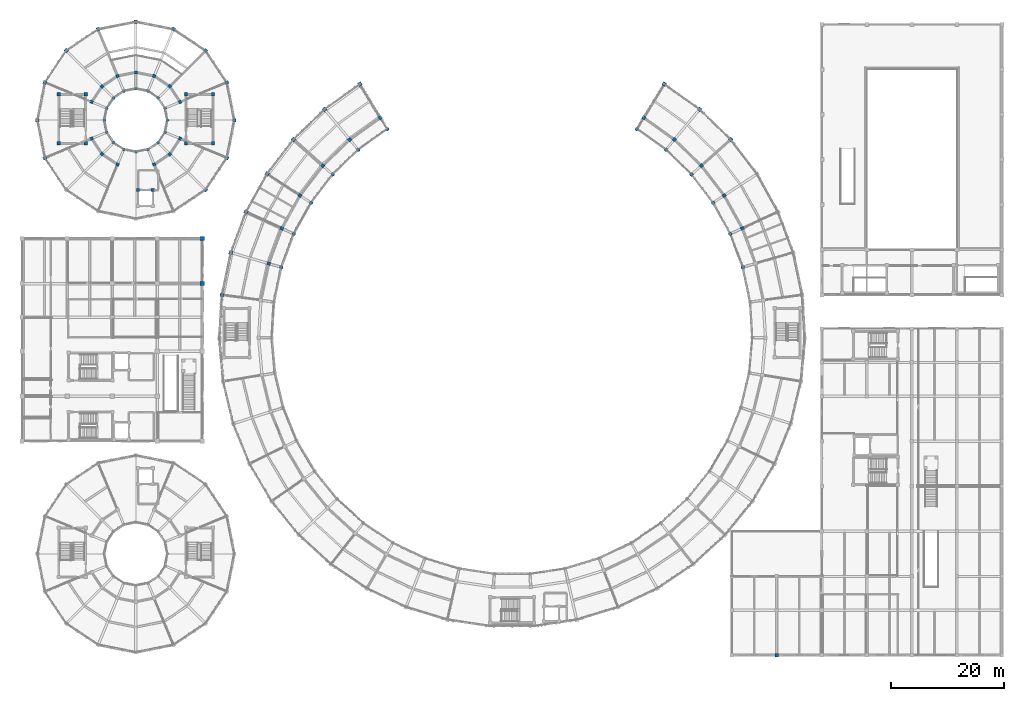
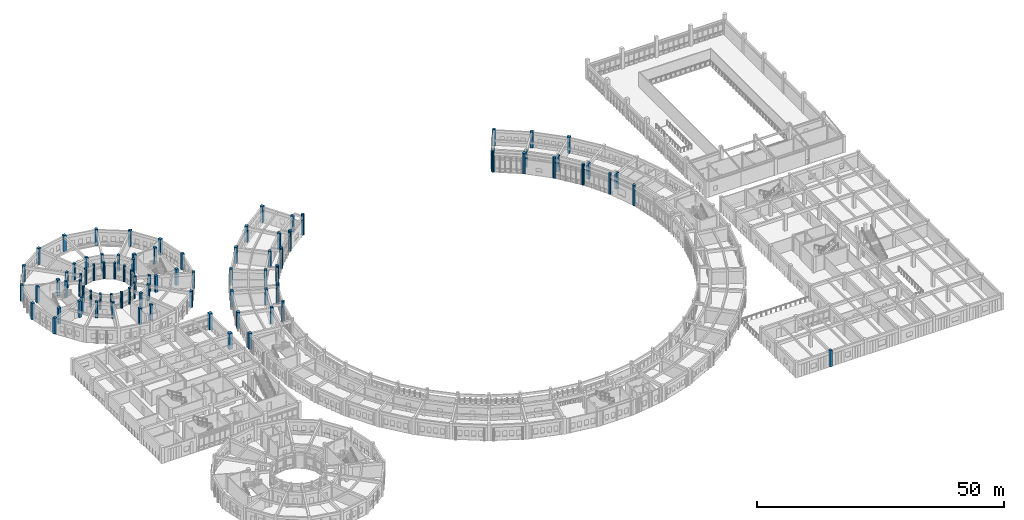
# One storey, part 6 of 159: 87 columns.
"""IFC4 building model written with IfcOpenShell, lengths in metres."""

from ifc_helpers import new_model, si_unit, direction, frame, origin, origin_2d, place, context, subcontext, project, spatial, rectangle, circle, extrude, material, material_profile, profile_set, type_object, element, save


model = new_model("IFC4")

# Units and contexts
model_context = context("Model", 3, precision=1e-05, world=origin(), true_north=direction((0.0, 1.0)))
body_context = subcontext(model_context, "Body", "Model", "MODEL_VIEW")
ifc_project = project(units=[si_unit("LENGTHUNIT", "METRE"), si_unit("AREAUNIT", "SQUARE_METRE"), si_unit("VOLUMEUNIT", "CUBIC_METRE"), si_unit("PLANEANGLEUNIT", "RADIAN"), si_unit("MASSUNIT", "GRAM", prefix="KILO")], contexts=[model_context])

# Site, building, storey
site_placement = place(None, origin())
site = spatial("IfcSite", under=ifc_project, at=site_placement, CompositionType="ELEMENT")
building_placement = place(site_placement, origin())
building = spatial("IfcBuilding", under=site, at=building_placement, Name="Celadon Cloister-Ring School", CompositionType="ELEMENT")
storey_placement = place(building_placement, frame((0.0, 0.0, 4.5)))
storey = spatial("IfcBuildingStorey", under=building, at=storey_placement, Name="L01", CompositionType="ELEMENT", Elevation=4.5)

# Columns
ifc_material_1 = material(Name="Concrete C40/50", Category="concrete")
ifc_material_profile_1 = material_profile(ifc_material_1, rectangle(XDim=0.75, YDim=0.75, at=origin_2d()), Name="RC750X750")
ifc_profile_set_1 = profile_set([ifc_material_profile_1], Name="Concrete C40/50")
column_type_1 = type_object("IfcColumnType", Name="CT-01", PredefinedType="COLUMN", material=ifc_profile_set_1)
for number, where, z_axis, x_axis, name in (
    (1, (32.0, 68.0, 0.0), (0.0, 0.0, 1.0), (1.0, 0.0, 0.0), "Column 1169"),
    (2, (32.0, 76.0, 0.0), (0.0, 0.0, 1.0), (1.0, 0.0, 0.0), "Column 1174"),
):
    element("IfcColumn", number, at=place(storey_placement, frame(where, z_axis=z_axis, x_axis=x_axis)), inside=storey, type_object=column_type_1, Name=name, PredefinedType="COLUMN", context=body_context, shape_type="SweptSolid", body=[
        extrude(rectangle(XDim=0.75, YDim=0.75, at=origin_2d()), origin(), (0.0, 0.0, 1.0), 4.0),
    ])
ifc_material_2 = material(Name="Concrete C40/50", Category="concrete")
ifc_material_profile_2 = material_profile(ifc_material_2, rectangle(XDim=0.60009765625, YDim=0.60009765625, at=origin_2d()), Name="RC600X600")
ifc_profile_set_2 = profile_set([ifc_material_profile_2], Name="Concrete C40/50")
column_type_2 = type_object("IfcColumnType", Name="CT-04", PredefinedType="COLUMN", material=ifc_profile_set_2)
for number, where, z_axis, x_axis, name in (
    (3, (6.5, 92.89990234375, 0.0), (0.0, 0.0, 1.0), (1.0, 0.0, 0.0), "Column 0064"),
    (4, (11.300048828125, 92.89990234375, 0.0), (0.0, 0.0, 1.0), (1.0, 0.0, 0.0), "Column 0068"),
    (5, (11.300048828125, 101.6201171875, 0.0), (0.0, 0.0, 1.0), (1.0, 0.0, 0.0), "Column 0072"),
    (6, (6.5, 101.6201171875, 0.0), (0.0, 0.0, 1.0), (1.0, 0.0, 0.0), "Column 0076"),
    (7, (29.10009765625, 92.89990234375, 0.0), (0.0, 0.0, 1.0), (1.0, 0.0, 0.0), "Column 0080"),
    (8, (33.89990234375, 92.89990234375, 0.0), (0.0, 0.0, 1.0), (1.0, 0.0, 0.0), "Column 0084"),
    (9, (33.89990234375, 101.6201171875, 0.0), (0.0, 0.0, 1.0), (1.0, 0.0, 0.0), "Column 0088"),
    (10, (29.10009765625, 101.6201171875, 0.0), (0.0, 0.0, 1.0), (1.0, 0.0, 0.0), "Column 0092"),
    (11, (63.60791015625, 97.44189453125, 0.0), (0.0, 0.0, 1.0), (-0.519817342621, 0.854277431699, 0.0), "Column 0397"),
    (12, (58.18505859375, 93.56494140625, 0.0), (0.0, 0.0, 1.0), (-0.640324219757, 0.76810474129, 0.0), "Column 0401"),
    (13, (53.39501953125, 88.927978515625, 0.0), (0.0, 0.0, 1.0), (-0.746777491428, 0.66507396453, 0.0), "Column 0405"),
    (14, (49.342041015625, 83.635009765625, 0.0), (0.0, 0.0, 1.0), (-0.836840759551, 0.547446383817, 0.0), "Column 0409"),
    (15, (46.115966796875, 77.801025390625, 0.0), (0.0, 0.0, 1.0), (-0.908537347938, 0.417803646947, 0.0), "Column 0413"),
    (16, (43.787109375, 71.554931640625, 0.0), (0.0, 0.0, 1.0), (-0.960293685677, 0.278991106039, 0.0), "Column 0417"),
    (17, (127.884033203125, 77.801025390625, 0.0), (0.0, 0.0, 1.0), (0.908537347938, 0.417803646947, 0.0), "Column 0521"),
    (18, (124.657958984375, 83.635009765625, 0.0), (0.0, 0.0, 1.0), (0.836840759551, 0.547446383817, 0.0), "Column 0525"),
    (19, (120.60498046875, 88.927978515625, 0.0), (0.0, 0.0, 1.0), (0.746777491428, 0.66507396453, 0.0), "Column 0529"),
    (20, (115.81494140625, 93.56494140625, 0.0), (0.0, 0.0, 1.0), (0.640324219757, 0.76810474129, 0.0), "Column 0533"),
    (21, (110.39208984375, 97.44189453125, 0.0), (0.0, 0.0, 1.0), (0.519817342621, 0.854277431699, 0.0), "Column 0537"),
    (22, (134.0, 2.0, 0.0), (0.0, 0.0, 1.0), (1.0, 0.0, 0.0), "Column 0918"),
):
    element("IfcColumn", number, at=place(storey_placement, frame(where, z_axis=z_axis, x_axis=x_axis)), inside=storey, type_object=column_type_2, Name=name, PredefinedType="COLUMN", context=body_context, shape_type="SweptSolid", body=[
        extrude(rectangle(XDim=0.60009765625, YDim=0.60009765625, at=origin_2d()), origin(), (0.0, 0.0, 1.0), 4.0),
    ])
ifc_material_3 = material(Name="Concrete C40/50", Category="concrete")
ifc_material_profile_3 = material_profile(ifc_material_3, rectangle(XDim=0.550048828125, YDim=0.550048828125, at=origin_2d()), Name="RC550X550")
ifc_profile_set_3 = profile_set([ifc_material_profile_3], Name="Concrete C40/50")
column_type_3 = type_object("IfcColumnType", Name="CT-05", PredefinedType="COLUMN", material=ifc_profile_set_3)
for number, where, z_axis, x_axis, name in (
    (23, (23.199951171875, 84.60009765625, 0.0), (0.0, 0.0, 1.0), (1.0, 0.0, 0.0), "Column 0285"),
    (24, (20.60009765625, 84.60009765625, 0.0), (0.0, 0.0, 1.0), (1.0, 0.0, 0.0), "Column 0289"),
    (25, (28.052978515625, 100.2529296875, 0.0), (0.0, 0.0, 1.0), (0.923879532511, 0.382683432365, 0.0), "Column 0792"),
    (26, (26.2099609375, 103.010009765625, 0.0), (0.0, 0.0, 1.0), (0.707106781187, 0.707106781187, 0.0), "Column 0796"),
    (27, (23.452880859375, 104.85302734375, 0.0), (0.0, 0.0, 1.0), (0.382683432365, 0.923879532511, 0.0), "Column 0800"),
    (28, (20.199951171875, 105.5, 0.0), (0.0, 0.0, 1.0), (0.0, 1.0, 0.0), "Column 0804"),
    (29, (16.947021484375, 104.85302734375, 0.0), (0.0, 0.0, 1.0), (-0.382683432365, 0.923879532511, 0.0), "Column 0808"),
    (30, (14.18994140625, 103.010009765625, 0.0), (0.0, 0.0, 1.0), (-0.707106781187, 0.707106781187, 0.0), "Column 0812"),
    (31, (12.346923828125, 100.2529296875, 0.0), (0.0, 0.0, 1.0), (-0.923879532511, 0.382683432365, 0.0), "Column 0816"),
    (32, (12.346923828125, 93.7470703125, 0.0), (0.0, 0.0, 1.0), (-0.923879532511, -0.382683432365, 0.0), "Column 0820"),
    (33, (14.18994140625, 90.989990234375, 0.0), (0.0, 0.0, 1.0), (-0.707106781187, -0.707106781187, 0.0), "Column 0824"),
    (34, (16.947021484375, 89.14697265625, 0.0), (0.0, 0.0, 1.0), (-0.382683432365, -0.923879532511, 0.0), "Column 0828"),
    (35, (23.452880859375, 89.14697265625, 0.0), (0.0, 0.0, 1.0), (0.382683432365, -0.923879532511, 0.0), "Column 0832"),
    (36, (26.2099609375, 90.989990234375, 0.0), (0.0, 0.0, 1.0), (0.707106781187, -0.707106781187, 0.0), "Column 0836"),
    (37, (28.052978515625, 93.7470703125, 0.0), (0.0, 0.0, 1.0), (0.923879532511, -0.382683432365, 0.0), "Column 0840"),
):
    element("IfcColumn", number, at=place(storey_placement, frame(where, z_axis=z_axis, x_axis=x_axis)), inside=storey, type_object=column_type_3, Name=name, PredefinedType="COLUMN", context=body_context, shape_type="SweptSolid", body=[
        extrude(rectangle(XDim=0.550048828125, YDim=0.550048828125, at=origin_2d()), origin(), (0.0, 0.0, 1.0), 4.0),
    ])
ifc_material_4 = material(Name="Concrete C40/50", Category="concrete")
ifc_material_profile_4 = material_profile(ifc_material_4, circle(Radius=0.27490234375, at=origin_2d()), Name="CIRC550")
ifc_profile_set_4 = profile_set([ifc_material_profile_4], Name="Concrete C40/50")
column_type_4 = type_object("IfcColumnType", Name="CT-07", PredefinedType="COLUMN", material=ifc_profile_set_4)
for number, where, z_axis, x_axis, name in (
    (38, (25.800048828125, 97.0, 0.0), (0.0, 0.0, 1.0), (1.0, 0.0, 0.0), "Column 0728"),
    (39, (25.3740234375, 99.14306640625, 0.0), (0.0, 0.0, 1.0), (1.0, 0.0, 0.0), "Column 0732"),
    (40, (24.159912109375, 100.9599609375, 0.0), (0.0, 0.0, 1.0), (1.0, 0.0, 0.0), "Column 0736"),
    (41, (22.343017578125, 102.174072265625, 0.0), (0.0, 0.0, 1.0), (1.0, 0.0, 0.0), "Column 0740"),
    (42, (20.199951171875, 102.60009765625, 0.0), (0.0, 0.0, 1.0), (1.0, 0.0, 0.0), "Column 0744"),
    (43, (18.056884765625, 102.174072265625, 0.0), (0.0, 0.0, 1.0), (1.0, 0.0, 0.0), "Column 0748"),
    (44, (16.239990234375, 100.9599609375, 0.0), (0.0, 0.0, 1.0), (1.0, 0.0, 0.0), "Column 0752"),
    (45, (15.02587890625, 99.14306640625, 0.0), (0.0, 0.0, 1.0), (1.0, 0.0, 0.0), "Column 0756"),
    (46, (14.60009765625, 97.0, 0.0), (0.0, 0.0, 1.0), (1.0, 0.0, 0.0), "Column 0760"),
    (47, (15.02587890625, 94.85693359375, 0.0), (0.0, 0.0, 1.0), (1.0, 0.0, 0.0), "Column 0764"),
    (48, (16.239990234375, 93.0400390625, 0.0), (0.0, 0.0, 1.0), (1.0, 0.0, 0.0), "Column 0768"),
    (49, (18.056884765625, 91.825927734375, 0.0), (0.0, 0.0, 1.0), (1.0, 0.0, 0.0), "Column 0772"),
    (50, (20.199951171875, 91.39990234375, 0.0), (0.0, 0.0, 1.0), (1.0, 0.0, 0.0), "Column 0776"),
    (51, (22.343017578125, 91.825927734375, 0.0), (0.0, 0.0, 1.0), (1.0, 0.0, 0.0), "Column 0780"),
    (52, (24.159912109375, 93.0400390625, 0.0), (0.0, 0.0, 1.0), (1.0, 0.0, 0.0), "Column 0784"),
    (53, (25.3740234375, 94.85693359375, 0.0), (0.0, 0.0, 1.0), (1.0, 0.0, 0.0), "Column 0788"),
):
    element("IfcColumn", number, at=place(storey_placement, frame(where, z_axis=z_axis, x_axis=x_axis)), inside=storey, type_object=column_type_4, Name=name, PredefinedType="COLUMN", context=body_context, shape_type="SweptSolid", body=[
        extrude(circle(Radius=0.27490234375, at=origin_2d()), origin(), (0.0, 0.0, 1.0), 4.0),
    ])
ifc_material_5 = material(Name="Concrete C40/50", Category="concrete")
ifc_material_profile_5 = material_profile(ifc_material_5, rectangle(XDim=0.64990234375, YDim=0.64990234375, at=origin_2d()), Name="RC650X650")
ifc_profile_set_5 = profile_set([ifc_material_profile_5], Name="Concrete C40/50")
column_type_5 = type_object("IfcColumnType", Name="CT-22", PredefinedType="COLUMN", material=ifc_profile_set_5)
for number, where, z_axis, x_axis, name in (
    (54, (59.968994140625, 103.422119140625, 0.0), (0.0, 0.0, 1.0), (-0.519817342621, 0.854277431699, 0.0), "Column 0541"),
    (55, (53.702880859375, 98.94091796875, 0.0), (0.0, 0.0, 1.0), (-0.640324219757, 0.76810474129, 0.0), "Column 0545"),
    (56, (48.16796875, 93.583984375, 0.0), (0.0, 0.0, 1.0), (-0.746777491428, 0.66507396453, 0.0), "Column 0549"),
    (57, (43.48388671875, 87.467041015625, 0.0), (0.0, 0.0, 1.0), (-0.836840759551, 0.547446383817, 0.0), "Column 0553"),
    (58, (39.756103515625, 80.72607421875, 0.0), (0.0, 0.0, 1.0), (-0.908537347938, 0.417803646947, 0.0), "Column 0557"),
    (59, (37.06494140625, 73.508056640625, 0.0), (0.0, 0.0, 1.0), (-0.960293685677, 0.278991106039, 0.0), "Column 0561"),
    (60, (35.468994140625, 65.970947265625, 0.0), (0.0, 0.0, 1.0), (-0.9909738433, 0.13405536877, 0.0), "Column 0565"),
    (61, (125.83203125, 93.583984375, 0.0), (0.0, 0.0, 1.0), (0.746777491428, 0.66507396453, 0.0), "Column 0665"),
    (62, (120.297119140625, 98.94091796875, 0.0), (0.0, 0.0, 1.0), (0.640324219757, 0.76810474129, 0.0), "Column 0669"),
    (63, (114.031005859375, 103.422119140625, 0.0), (0.0, 0.0, 1.0), (0.519817342621, 0.854277431699, 0.0), "Column 0673"),
):
    element("IfcColumn", number, at=place(storey_placement, frame(where, z_axis=z_axis, x_axis=x_axis)), inside=storey, type_object=column_type_5, Name=name, PredefinedType="COLUMN", context=body_context, shape_type="SweptSolid", body=[
        extrude(rectangle(XDim=0.64990234375, YDim=0.64990234375, at=origin_2d()), origin(), (0.0, 0.0, 1.0), 4.0),
    ])
ifc_material_6 = material(Name="Concrete C40/50", Category="concrete")
ifc_material_profile_6 = material_profile(ifc_material_6, rectangle(XDim=0.60009765625, YDim=0.60009765625, at=origin_2d()), Name="RC600X600")
ifc_profile_set_6 = profile_set([ifc_material_profile_6], Name="Concrete C40/50")
column_type_6 = type_object("IfcColumnType", Name="CT-23", PredefinedType="COLUMN", material=ifc_profile_set_6)
for number, where, z_axis, x_axis, name in (
    (64, (37.699951171875, 97.0, 0.0), (0.0, 0.0, 1.0), (1.0, 0.0, 0.0), "Column 0844"),
    (65, (36.367919921875, 103.697021484375, 0.0), (0.0, 0.0, 1.0), (0.923879532511, 0.382683432365, 0.0), "Column 0848"),
    (66, (32.573974609375, 109.3740234375, 0.0), (0.0, 0.0, 1.0), (0.707106781187, 0.707106781187, 0.0), "Column 0852"),
    (67, (26.89697265625, 113.16796875, 0.0), (0.0, 0.0, 1.0), (0.382683432365, 0.923879532511, 0.0), "Column 0856"),
    (68, (20.199951171875, 114.5, 0.0), (0.0, 0.0, 1.0), (0.0, 1.0, 0.0), "Column 0860"),
    (69, (13.5029296875, 113.16796875, 0.0), (0.0, 0.0, 1.0), (-0.382683432365, 0.923879532511, 0.0), "Column 0864"),
    (70, (7.825927734375, 109.3740234375, 0.0), (0.0, 0.0, 1.0), (-0.707106781187, 0.707106781187, 0.0), "Column 0868"),
    (71, (4.031982421875, 103.697021484375, 0.0), (0.0, 0.0, 1.0), (-0.923879532511, 0.382683432365, 0.0), "Column 0872"),
    (72, (2.699951171875, 97.0, 0.0), (0.0, 0.0, 1.0), (-1.0, 0.0, 0.0), "Column 0876"),
    (73, (4.031982421875, 90.302978515625, 0.0), (0.0, 0.0, 1.0), (-0.923879532511, -0.382683432365, 0.0), "Column 0880"),
    (74, (32.573974609375, 84.6259765625, 0.0), (0.0, 0.0, 1.0), (0.707106781187, -0.707106781187, 0.0), "Column 0900"),
    (75, (36.367919921875, 90.302978515625, 0.0), (0.0, 0.0, 1.0), (0.923879532511, -0.382683432365, 0.0), "Column 0904"),
):
    element("IfcColumn", number, at=place(storey_placement, frame(where, z_axis=z_axis, x_axis=x_axis)), inside=storey, type_object=column_type_6, Name=name, PredefinedType="COLUMN", context=body_context, shape_type="SweptSolid", body=[
        extrude(rectangle(XDim=0.60009765625, YDim=0.60009765625, at=origin_2d()), origin(), (0.0, 0.0, 1.0), 4.0),
    ])
ifc_material_7 = material(Name="Concrete C40/50", Category="concrete")
ifc_material_profile_7 = material_profile(ifc_material_7, circle(Radius=0.324951171875, at=origin_2d()), Name="CIRC650")
ifc_profile_set_7 = profile_set([ifc_material_profile_7], Name="Concrete C40/50")
column_type_7 = type_object("IfcColumnType", Name="CT-25", PredefinedType="COLUMN", material=ifc_profile_set_7)
for number, where, z_axis, x_axis, name in (
    (76, (64.830078125, 95.43505859375, 0.0), (0.0, 0.0, 1.0), (1.0, 0.0, 0.0), "Column 0325"),
    (77, (59.68994140625, 91.760009765625, 0.0), (0.0, 0.0, 1.0), (1.0, 0.0, 0.0), "Column 0327"),
    (78, (55.14990234375, 87.364990234375, 0.0), (0.0, 0.0, 1.0), (1.0, 0.0, 0.0), "Column 0329"),
    (79, (51.30908203125, 82.34912109375, 0.0), (0.0, 0.0, 1.0), (1.0, 0.0, 0.0), "Column 0331"),
    (80, (48.2509765625, 76.819091796875, 0.0), (0.0, 0.0, 1.0), (1.0, 0.0, 0.0), "Column 0333"),
    (81, (46.04296875, 70.89892578125, 0.0), (0.0, 0.0, 1.0), (1.0, 0.0, 0.0), "Column 0335"),
    (82, (127.95703125, 70.89892578125, 0.0), (0.0, 0.0, 1.0), (1.0, 0.0, 0.0), "Column 0385"),
    (83, (125.7490234375, 76.819091796875, 0.0), (0.0, 0.0, 1.0), (1.0, 0.0, 0.0), "Column 0387"),
    (84, (122.69091796875, 82.34912109375, 0.0), (0.0, 0.0, 1.0), (1.0, 0.0, 0.0), "Column 0389"),
    (85, (118.85009765625, 87.364990234375, 0.0), (0.0, 0.0, 1.0), (1.0, 0.0, 0.0), "Column 0391"),
    (86, (114.31005859375, 91.760009765625, 0.0), (0.0, 0.0, 1.0), (1.0, 0.0, 0.0), "Column 0393"),
    (87, (109.169921875, 95.43505859375, 0.0), (0.0, 0.0, 1.0), (1.0, 0.0, 0.0), "Column 0395"),
):
    element("IfcColumn", number, at=place(storey_placement, frame(where, z_axis=z_axis, x_axis=x_axis)), inside=storey, type_object=column_type_7, Name=name, PredefinedType="COLUMN", context=body_context, shape_type="SweptSolid", body=[
        extrude(circle(Radius=0.324951171875, at=origin_2d()), origin(), (0.0, 0.0, 1.0), 5.1201171875),
    ])

save(model, "model.ifc")
